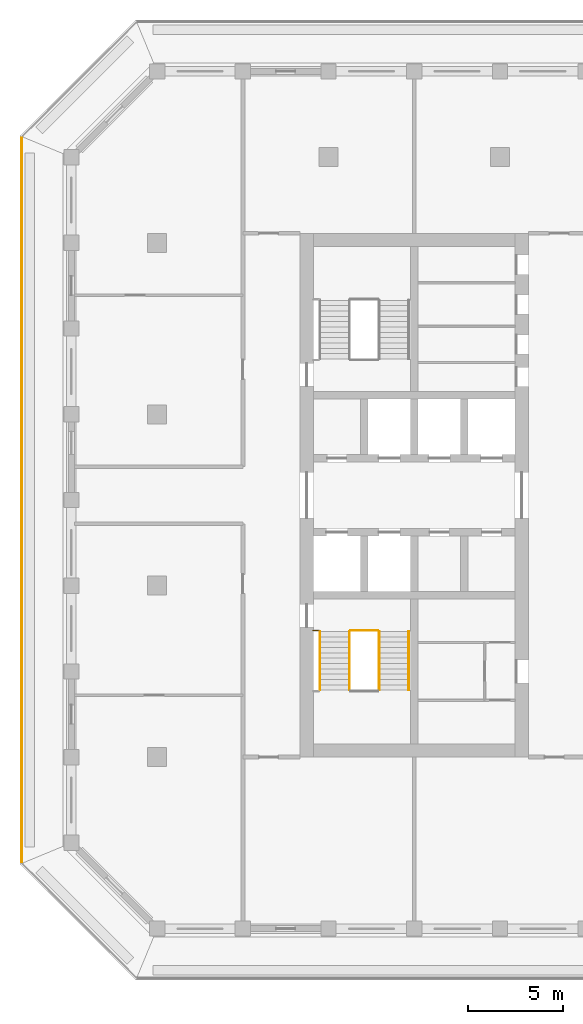
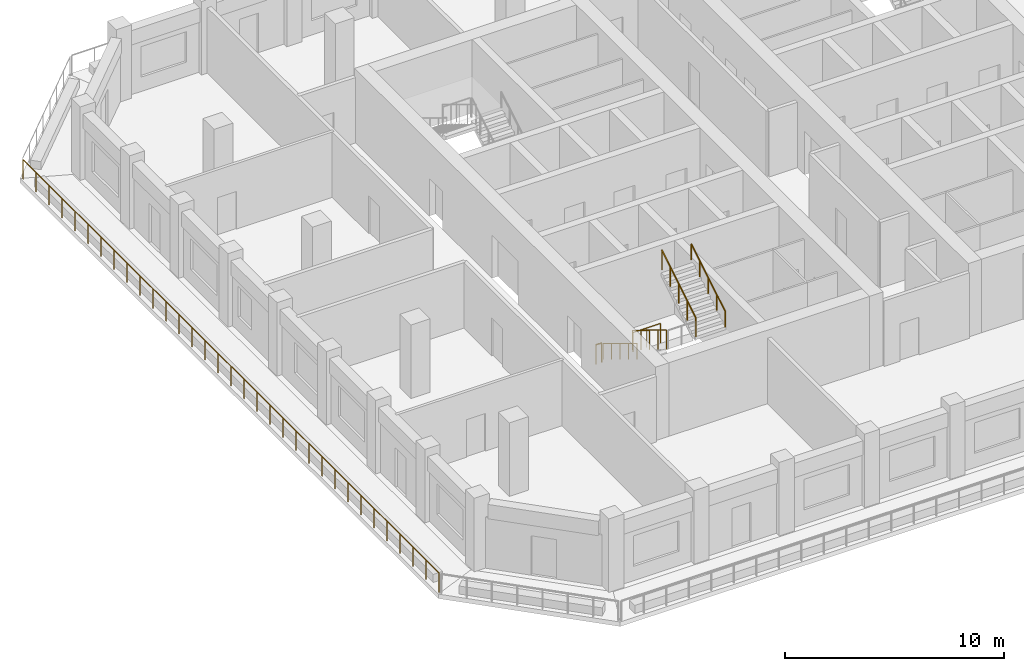
# One storey, part 9 of 14: 7 railings.
"""IFC4 building model written with IfcOpenShell, lengths in metres."""

from ifc_helpers import new_model, si_unit, direction, frame, origin, origin_2d, place, context, subcontext, project, spatial, circle, extrude, material, type_object, element, save


model = new_model("IFC4")

# Units and contexts
model_context = context("Model", 3, precision=1e-05, world=origin(), true_north=direction((0.0, 1.0)))
body_context = subcontext(model_context, "Body", "Model", "MODEL_VIEW")
ifc_project = project(units=[si_unit("LENGTHUNIT", "METRE"), si_unit("AREAUNIT", "SQUARE_METRE"), si_unit("VOLUMEUNIT", "CUBIC_METRE"), si_unit("PLANEANGLEUNIT", "RADIAN"), si_unit("MASSUNIT", "GRAM", prefix="KILO")], contexts=[model_context])

# Site, building, storey
site_placement = place(None, origin())
site = spatial("IfcSite", under=ifc_project, at=site_placement, CompositionType="ELEMENT")
building_placement = place(site_placement, origin())
building = spatial("IfcBuilding", under=site, at=building_placement, Name="Corbel Stack Research Tower", CompositionType="ELEMENT")
storey_placement = place(building_placement, frame((0.0, 0.0, 270.39990234375)))
storey = spatial("IfcBuildingStorey", under=building, at=storey_placement, Name="L61", CompositionType="ELEMENT", Elevation=270.39990234375)

# Railings
ifc_material_1 = material(Name="Steel S355", Category="steel")
railing_type_1 = type_object("IfcRailingType", Name="Stair guard 1100", PredefinedType="GUARDRAIL", material=ifc_material_1)
railing_1_placement = place(storey_placement, frame((-7.89990234375, -2.39990234375, 0.1708984375)))
element("IfcRailing", 1, at=railing_1_placement, inside=storey, type_object=railing_type_1, Name="L61 ST-W1 stair guard 1", PredefinedType="GUARDRAIL", context=body_context, shape_type="SweptSolid", body=[
    extrude(circle(Radius=0.02392578125, at=origin_2d()), frame((0.0, 0.0, 1.076171875), z_axis=(0.0, -0.853666305674, 0.52082035152), x_axis=(1.0, 0.0, 0.0)), (0.0, 0.0, 1.0), 3.608154296875),
    extrude(circle(Radius=0.02099609375, at=origin_2d()), origin(), (0.0, 0.0, 1.0), 1.052001953125),
    extrude(circle(Radius=0.02099609375, at=origin_2d()), frame((0.0, -0.77001953125, 0.4697265625)), (0.0, 0.0, 1.0), 1.052001953125),
    extrude(circle(Radius=0.02099609375, at=origin_2d()), frame((0.0, -1.5400390625, 0.939453125)), (0.0, 0.0, 1.0), 1.052001953125),
    extrude(circle(Radius=0.02099609375, at=origin_2d()), frame((0.0, -2.31005859375, 1.409423828125)), (0.0, 0.0, 1.0), 1.052001953125),
    extrude(circle(Radius=0.02099609375, at=origin_2d()), frame((0.0, -3.080078125, 1.879150390625)), (0.0, 0.0, 1.0), 1.052001953125),
])
railing_2_placement = place(storey_placement, frame((-6.35009765625, -5.47998046875, 2.220947265625)))
element("IfcRailing", 2, at=railing_2_placement, inside=storey, type_object=railing_type_1, Name="L61 ST-W1 stair guard 4", PredefinedType="GUARDRAIL", context=body_context, shape_type="SweptSolid", body=[
    extrude(circle(Radius=0.02392578125, at=origin_2d()), frame((0.0, 0.0, 1.076171875), z_axis=(0.0, 0.853666305674, 0.52082035152), x_axis=(-1.0, 0.0, 0.0)), (0.0, 0.0, 1.0), 3.608154296875),
    extrude(circle(Radius=0.02099609375, at=origin_2d()), origin(), (0.0, 0.0, 1.0), 1.052001953125),
    extrude(circle(Radius=0.02099609375, at=origin_2d()), frame((0.0, 0.77001953125, 0.4697265625)), (0.0, 0.0, 1.0), 1.052001953125),
    extrude(circle(Radius=0.02099609375, at=origin_2d()), frame((0.0, 1.5400390625, 0.939453125)), (0.0, 0.0, 1.0), 1.052001953125),
    extrude(circle(Radius=0.02099609375, at=origin_2d()), frame((0.0, 2.31005859375, 1.409423828125)), (0.0, 0.0, 1.0), 1.052001953125),
    extrude(circle(Radius=0.02099609375, at=origin_2d()), frame((0.0, 3.080078125, 1.879150390625)), (0.0, 0.0, 1.0), 1.052001953125),
])
railing_3_placement = place(storey_placement, frame((-7.85009765625, -2.35009765625, 0.0)))
element("IfcRailing", 3, at=railing_3_placement, inside=storey, type_object=railing_type_1, Name="L61 ST-W1 stair guard 5", PredefinedType="GUARDRAIL", context=body_context, shape_type="SweptSolid", body=[
    extrude(circle(Radius=0.02392578125, at=origin_2d()), frame((0.0, 0.0, 1.076171875), z_axis=(1.0, 0.0, 0.0), x_axis=(0.0, 1.0, 0.0)), (0.0, 0.0, 1.0), 1.4501953125),
    extrude(circle(Radius=0.02099609375, at=origin_2d()), origin(), (0.0, 0.0, 1.0), 1.052001953125),
    extrude(circle(Radius=0.02099609375, at=origin_2d()), frame((0.72509765625, 0.0, 0.0)), (0.0, 0.0, 1.0), 1.052001953125),
    extrude(circle(Radius=0.02099609375, at=origin_2d()), frame((1.4501953125, 0.0, 0.0)), (0.0, 0.0, 1.0), 1.052001953125),
])
railing_4_placement = place(storey_placement, frame((-9.800048828125, -2.35009765625, 0.0)))
element("IfcRailing", 4, at=railing_4_placement, inside=storey, type_object=railing_type_1, Name="L61 ST-W1 stair guard 6", PredefinedType="GUARDRAIL", context=body_context, shape_type="SweptSolid", body=[
    extrude(circle(Radius=0.02392578125, at=origin_2d()), frame((0.0, 0.0, 1.076171875), z_axis=(1.0, 0.0, 0.0), x_axis=(0.0, 1.0, 0.0)), (0.0, 0.0, 1.0), 0.300048828125),
    extrude(circle(Radius=0.02099609375, at=origin_2d()), origin(), (0.0, 0.0, 1.0), 1.052001953125),
    extrude(circle(Radius=0.02099609375, at=origin_2d()), frame((0.300048828125, 0.0, 0.0)), (0.0, 0.0, 1.0), 1.052001953125),
])
ifc_material_2 = material(Name="Steel S355", Category="steel")
railing_type_2 = type_object("IfcRailingType", Name="Stair handrail 900", PredefinedType="HANDRAIL", material=ifc_material_2)
railing_5_placement = place(storey_placement, frame((-9.449951171875, -2.39990234375, 0.1708984375)))
element("IfcRailing", 5, at=railing_5_placement, inside=storey, type_object=railing_type_2, Name="L61 ST-W1 stair handrail 1", PredefinedType="HANDRAIL", context=body_context, shape_type="SweptSolid", body=[
    extrude(circle(Radius=0.02392578125, at=origin_2d()), frame((0.0, 0.0, 0.8759765625), z_axis=(0.0, -0.853666305674, 0.52082035152), x_axis=(1.0, 0.0, 0.0)), (0.0, 0.0, 1.0), 3.608154296875),
    extrude(circle(Radius=0.02099609375, at=origin_2d()), origin(), (0.0, 0.0, 1.0), 0.851806640625),
    extrude(circle(Radius=0.02099609375, at=origin_2d()), frame((0.0, -0.77001953125, 0.4697265625)), (0.0, 0.0, 1.0), 0.851806640625),
    extrude(circle(Radius=0.02099609375, at=origin_2d()), frame((0.0, -1.5400390625, 0.939453125)), (0.0, 0.0, 1.0), 0.851806640625),
    extrude(circle(Radius=0.02099609375, at=origin_2d()), frame((0.0, -2.31005859375, 1.409423828125)), (0.0, 0.0, 1.0), 0.851806640625),
    extrude(circle(Radius=0.02099609375, at=origin_2d()), frame((0.0, -3.080078125, 1.879150390625)), (0.0, 0.0, 1.0), 0.851806640625),
])
railing_6_placement = place(storey_placement, frame((-4.800048828125, -5.47998046875, 2.220947265625)))
element("IfcRailing", 6, at=railing_6_placement, inside=storey, type_object=railing_type_2, Name="L61 ST-W1 stair handrail 2", PredefinedType="HANDRAIL", context=body_context, shape_type="SweptSolid", body=[
    extrude(circle(Radius=0.02392578125, at=origin_2d()), frame((0.0, 0.0, 0.8759765625), z_axis=(0.0, 0.853666305674, 0.52082035152), x_axis=(-1.0, 0.0, 0.0)), (0.0, 0.0, 1.0), 3.608154296875),
    extrude(circle(Radius=0.02099609375, at=origin_2d()), origin(), (0.0, 0.0, 1.0), 0.851806640625),
    extrude(circle(Radius=0.02099609375, at=origin_2d()), frame((0.0, 0.77001953125, 0.4697265625)), (0.0, 0.0, 1.0), 0.851806640625),
    extrude(circle(Radius=0.02099609375, at=origin_2d()), frame((0.0, 1.5400390625, 0.939453125)), (0.0, 0.0, 1.0), 0.851806640625),
    extrude(circle(Radius=0.02099609375, at=origin_2d()), frame((0.0, 2.31005859375, 1.409423828125)), (0.0, 0.0, 1.0), 0.851806640625),
    extrude(circle(Radius=0.02099609375, at=origin_2d()), frame((0.0, 3.080078125, 1.879150390625)), (0.0, 0.0, 1.0), 0.851806640625),
])
ifc_material_3 = material(Name="Powder-coated steel guard", Category="steel")
railing_type_3 = type_object("IfcRailingType", Name="Steel and glass guard 1100", PredefinedType="GUARDRAIL", material=ifc_material_3)
railing_7_placement = place(storey_placement, frame((-25.10009765625, 23.50537109375, 0.0)))
element("IfcRailing", 7, at=railing_7_placement, inside=storey, type_object=railing_type_3, Name="Loggia guard L61 W", PredefinedType="GUARDRAIL", context=body_context, shape_type="SweptSolid", body=[
    extrude(circle(Radius=0.02392578125, at=origin_2d()), frame((0.0, 0.0, 1.076171875), z_axis=(0.0, -1.0, 0.0), x_axis=(1.0, 0.0, 0.0)), (0.0, 0.0, 1.0), 38.0107421875),
    extrude(circle(Radius=0.02099609375, at=origin_2d()), origin(), (0.0, 0.0, 1.0), 1.052001953125),
    extrude(circle(Radius=0.02099609375, at=origin_2d()), frame((0.0, -1.187744140625, 0.0)), (0.0, 0.0, 1.0), 1.052001953125),
    extrude(circle(Radius=0.02099609375, at=origin_2d()), frame((0.0, -2.375732421875, 0.0)), (0.0, 0.0, 1.0), 1.052001953125),
    extrude(circle(Radius=0.02099609375, at=origin_2d()), frame((0.0, -3.5634765625, 0.0)), (0.0, 0.0, 1.0), 1.052001953125),
    extrude(circle(Radius=0.02099609375, at=origin_2d()), frame((0.0, -4.75146484375, 0.0)), (0.0, 0.0, 1.0), 1.052001953125),
    extrude(circle(Radius=0.02099609375, at=origin_2d()), frame((0.0, -5.939208984375, 0.0)), (0.0, 0.0, 1.0), 1.052001953125),
    extrude(circle(Radius=0.02099609375, at=origin_2d()), frame((0.0, -7.126953125, 0.0)), (0.0, 0.0, 1.0), 1.052001953125),
    extrude(circle(Radius=0.02099609375, at=origin_2d()), frame((0.0, -8.31494140625, 0.0)), (0.0, 0.0, 1.0), 1.052001953125),
    extrude(circle(Radius=0.02099609375, at=origin_2d()), frame((0.0, -9.502685546875, 0.0)), (0.0, 0.0, 1.0), 1.052001953125),
    extrude(circle(Radius=0.02099609375, at=origin_2d()), frame((0.0, -10.6904296875, 0.0)), (0.0, 0.0, 1.0), 1.052001953125),
    extrude(circle(Radius=0.02099609375, at=origin_2d()), frame((0.0, -11.87841796875, 0.0)), (0.0, 0.0, 1.0), 1.052001953125),
    extrude(circle(Radius=0.02099609375, at=origin_2d()), frame((0.0, -13.066162109375, 0.0)), (0.0, 0.0, 1.0), 1.052001953125),
    extrude(circle(Radius=0.02099609375, at=origin_2d()), frame((0.0, -14.25390625, 0.0)), (0.0, 0.0, 1.0), 1.052001953125),
    extrude(circle(Radius=0.02099609375, at=origin_2d()), frame((0.0, -15.44189453125, 0.0)), (0.0, 0.0, 1.0), 1.052001953125),
    extrude(circle(Radius=0.02099609375, at=origin_2d()), frame((0.0, -16.629638671875, 0.0)), (0.0, 0.0, 1.0), 1.052001953125),
    extrude(circle(Radius=0.02099609375, at=origin_2d()), frame((0.0, -17.817626953125, 0.0)), (0.0, 0.0, 1.0), 1.052001953125),
    extrude(circle(Radius=0.02099609375, at=origin_2d()), frame((0.0, -19.00537109375, 0.0)), (0.0, 0.0, 1.0), 1.052001953125),
    extrude(circle(Radius=0.02099609375, at=origin_2d()), frame((0.0, -20.193115234375, 0.0)), (0.0, 0.0, 1.0), 1.052001953125),
    extrude(circle(Radius=0.02099609375, at=origin_2d()), frame((0.0, -21.381103515625, 0.0)), (0.0, 0.0, 1.0), 1.052001953125),
    extrude(circle(Radius=0.02099609375, at=origin_2d()), frame((0.0, -22.56884765625, 0.0)), (0.0, 0.0, 1.0), 1.052001953125),
    extrude(circle(Radius=0.02099609375, at=origin_2d()), frame((0.0, -23.7568359375, 0.0)), (0.0, 0.0, 1.0), 1.052001953125),
    extrude(circle(Radius=0.02099609375, at=origin_2d()), frame((0.0, -24.944580078125, 0.0)), (0.0, 0.0, 1.0), 1.052001953125),
    extrude(circle(Radius=0.02099609375, at=origin_2d()), frame((0.0, -26.13232421875, 0.0)), (0.0, 0.0, 1.0), 1.052001953125),
    extrude(circle(Radius=0.02099609375, at=origin_2d()), frame((0.0, -27.3203125, 0.0)), (0.0, 0.0, 1.0), 1.052001953125),
    extrude(circle(Radius=0.02099609375, at=origin_2d()), frame((0.0, -28.508056640625, 0.0)), (0.0, 0.0, 1.0), 1.052001953125),
    extrude(circle(Radius=0.02099609375, at=origin_2d()), frame((0.0, -29.69580078125, 0.0)), (0.0, 0.0, 1.0), 1.052001953125),
    extrude(circle(Radius=0.02099609375, at=origin_2d()), frame((0.0, -30.8837890625, 0.0)), (0.0, 0.0, 1.0), 1.052001953125),
    extrude(circle(Radius=0.02099609375, at=origin_2d()), frame((0.0, -32.071533203125, 0.0)), (0.0, 0.0, 1.0), 1.052001953125),
    extrude(circle(Radius=0.02099609375, at=origin_2d()), frame((0.0, -33.25927734375, 0.0)), (0.0, 0.0, 1.0), 1.052001953125),
    extrude(circle(Radius=0.02099609375, at=origin_2d()), frame((0.0, -34.447265625, 0.0)), (0.0, 0.0, 1.0), 1.052001953125),
    extrude(circle(Radius=0.02099609375, at=origin_2d()), frame((0.0, -35.635009765625, 0.0)), (0.0, 0.0, 1.0), 1.052001953125),
    extrude(circle(Radius=0.02099609375, at=origin_2d()), frame((0.0, -36.822998046875, 0.0)), (0.0, 0.0, 1.0), 1.052001953125),
    extrude(circle(Radius=0.02099609375, at=origin_2d()), frame((0.0, -38.0107421875, 0.0)), (0.0, 0.0, 1.0), 1.052001953125),
])

save(model, "model.ifc")
